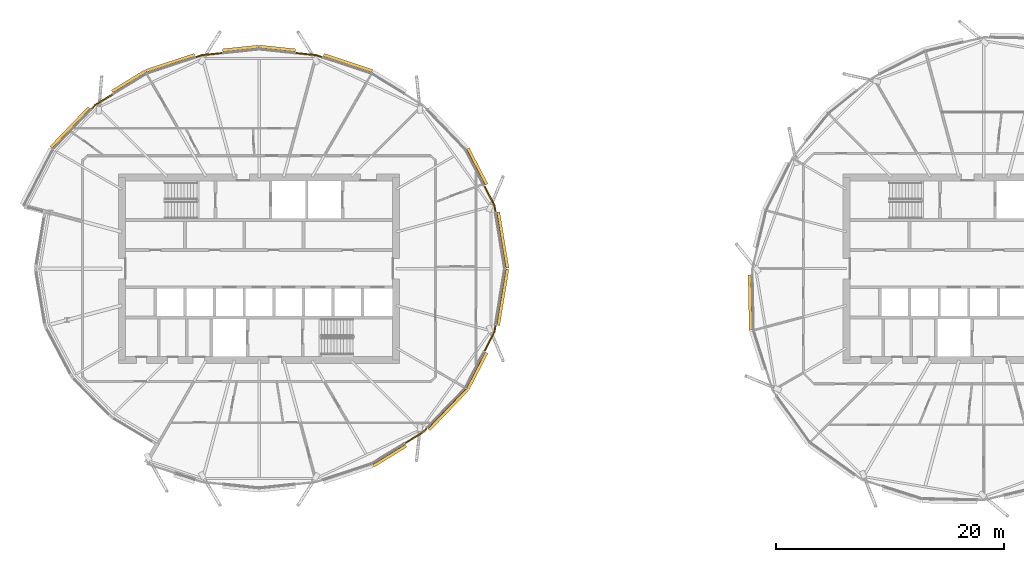
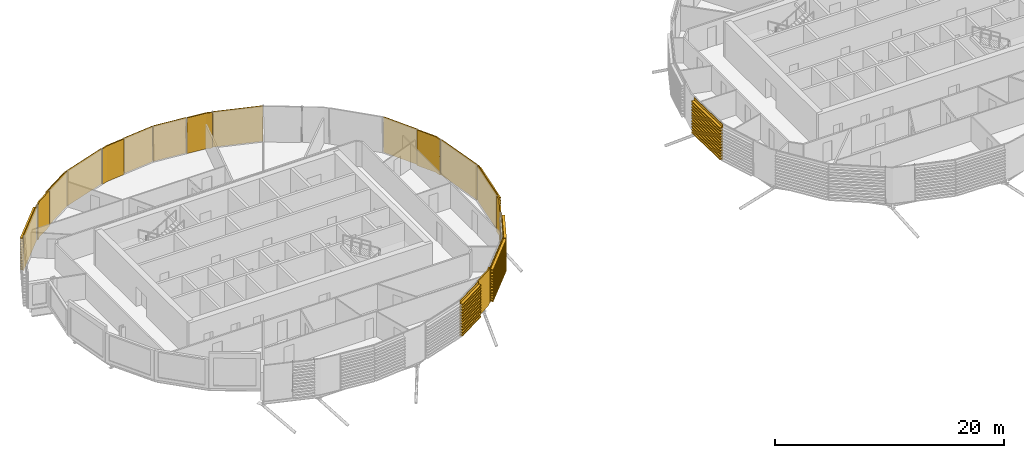
# One storey, part 33 of 36: 19 coverings.
"""IFC4 building model written with IfcOpenShell, lengths in metres."""

from ifc_helpers import new_model, si_unit, direction, frame, origin, place, context, subcontext, project, spatial, polyline, outline, extrude, material, layer, layer_set, material_profile, profile_set, type_object, element, save


model = new_model("IFC4")

# Units and contexts
model_context = context("Model", 3, precision=1e-05, world=origin(), true_north=direction((0.0, 1.0)))
body_context = subcontext(model_context, "Body", "Model", "MODEL_VIEW")
ifc_project = project(units=[si_unit("LENGTHUNIT", "METRE"), si_unit("AREAUNIT", "SQUARE_METRE"), si_unit("VOLUMEUNIT", "CUBIC_METRE"), si_unit("PLANEANGLEUNIT", "RADIAN"), si_unit("MASSUNIT", "GRAM", prefix="KILO")], contexts=[model_context])

# Site, building, storey
site_placement = place(None, origin())
site = spatial("IfcSite", under=ifc_project, at=site_placement, CompositionType="ELEMENT")
building_placement = place(site_placement, origin())
building = spatial("IfcBuilding", under=site, at=building_placement, Name="Rimbun Link Towers", CompositionType="ELEMENT")
storey_placement = place(building_placement, frame((0.0, 0.0, 200.699951171875)))
storey = spatial("IfcBuildingStorey", under=building, at=storey_placement, Name="L49", CompositionType="ELEMENT", Elevation=200.699951171875)

# Coverings
ifc_material_1 = material(Name="Terracotta", Category="masonry")
ifc_layer = layer(ifc_material_1, 0.1201171875)
ifc_layer_set = layer_set([ifc_layer], Name="LINK PIER terracotta cladding 120")
covering_type_1 = type_object("IfcCoveringType", Name="LINK PIER terracotta cladding 120", PredefinedType="CLADDING", material=ifc_layer_set)
covering_1_placement = place(storey_placement, origin())
element("IfcCovering", 1, at=covering_1_placement, inside=storey, type_object=covering_type_1, Name="LINK PIER cladding", PredefinedType="CLADDING", context=body_context, shape_type="SweptSolid", body=[
    extrude(outline(polyline([(-12.055419921875, 7.21875), (-11.173095703125, 5.513671875), (-11.08056640625, 4.951171875), (-10.962158203125, 4.970703125), (-11.057861328125, 5.5517578125), (-11.948974609375, 7.27392578125), (-12.055419921875, 7.21875)])), origin(), (0.0, 0.0, 1.0), 3.800048828125),
])
covering_2_placement = place(storey_placement, origin())
element("IfcCovering", 2, at=covering_2_placement, inside=storey, type_object=covering_type_1, Name="LINK PIER cladding", PredefinedType="CLADDING", context=body_context, shape_type="SweptSolid", body=[
    extrude(outline(polyline([(-28.561279296875, 18.845947265625), (-26.751220703125, 18.6552734375), (-26.210205078125, 18.475830078125), (-26.172607421875, 18.58984375), (-26.725830078125, 18.773193359375), (-28.548828125, 18.965087890625), (-28.561279296875, 18.845947265625)])), origin(), (0.0, 0.0, 1.0), 3.800048828125),
])
covering_3_placement = place(storey_placement, origin())
element("IfcCovering", 3, at=covering_3_placement, inside=storey, type_object=covering_type_1, Name="LINK PIER cladding", PredefinedType="CLADDING", context=body_context, shape_type="SweptSolid", body=[
    extrude(outline(polyline([(-37.289794921875, 18.475830078125), (-36.748779296875, 18.6552734375), (-34.938720703125, 18.845947265625), (-34.951171875, 18.965087890625), (-36.774169921875, 18.773193359375), (-37.327392578125, 18.58984375), (-37.289794921875, 18.475830078125)])), origin(), (0.0, 0.0, 1.0), 3.800048828125),
])
covering_4_placement = place(storey_placement, origin())
element("IfcCovering", 4, at=covering_4_placement, inside=storey, type_object=covering_type_1, Name="LINK PIER cladding", PredefinedType="CLADDING", context=body_context, shape_type="SweptSolid", body=[
    extrude(outline(polyline([(-46.418212890625, 13.93310546875), (-46.058349609375, 14.308349609375), (-44.50732421875, 15.2607421875), (-44.5703125, 15.363037109375), (-46.13427734375, 14.402587890625), (-46.5048828125, 14.01611328125), (-46.418212890625, 13.93310546875)])), origin(), (0.0, 0.0, 1.0), 3.800048828125),
])
covering_5_placement = place(storey_placement, origin())
element("IfcCovering", 5, at=covering_5_placement, inside=storey, type_object=covering_type_1, Name="LINK PIER cladding", PredefinedType="CLADDING", context=body_context, shape_type="SweptSolid", body=[
    extrude(outline(polyline([(-17.081787109375, -13.93310546875), (-17.441650390625, -14.308349609375), (-18.99267578125, -15.2607421875), (-18.9296875, -15.363037109375), (-17.36572265625, -14.402587890625), (-16.9951171875, -14.01611328125), (-17.081787109375, -13.93310546875)])), origin(), (0.0, 0.0, 1.0), 3.800048828125),
])
covering_6_placement = place(storey_placement, origin())
element("IfcCovering", 6, at=covering_6_placement, inside=storey, type_object=covering_type_1, Name="LINK PIER cladding", PredefinedType="CLADDING", context=body_context, shape_type="SweptSolid", body=[
    extrude(outline(polyline([(-11.08056640625, -4.951171875), (-11.173095703125, -5.513671875), (-12.055419921875, -7.21875), (-11.948974609375, -7.27392578125), (-11.057861328125, -5.5517578125), (-10.962158203125, -4.970703125), (-11.08056640625, -4.951171875)])), origin(), (0.0, 0.0, 1.0), 3.800048828125),
])
ifc_material_2 = material(Name="Terracotta", Category="masonry")
ifc_material_profile = material_profile(ifc_material_2, outline(polyline([(0.123046875, 0.0), (0.1630859375, 0.0), (0.1630859375, 0.10009765625), (0.423095703125, 0.10009765625), (0.423095703125, 0.219970703125), (0.1630859375, 0.219970703125), (0.1630859375, 0.39990234375), (0.423095703125, 0.39990234375), (0.423095703125, 0.52001953125), (0.1630859375, 0.52001953125), (0.1630859375, 0.699951171875), (0.423095703125, 0.699951171875), (0.423095703125, 0.820068359375), (0.1630859375, 0.820068359375), (0.1630859375, 1.0), (0.423095703125, 1.0), (0.423095703125, 1.1201171875), (0.1630859375, 1.1201171875), (0.1630859375, 1.300048828125), (0.423095703125, 1.300048828125), (0.423095703125, 1.419921875), (0.1630859375, 1.419921875), (0.1630859375, 1.60009765625), (0.423095703125, 1.60009765625), (0.423095703125, 1.719970703125), (0.1630859375, 1.719970703125), (0.1630859375, 1.89990234375), (0.423095703125, 1.89990234375), (0.423095703125, 2.02001953125), (0.1630859375, 2.02001953125), (0.1630859375, 2.199951171875), (0.423095703125, 2.199951171875), (0.423095703125, 2.320068359375), (0.1630859375, 2.320068359375), (0.1630859375, 2.5), (0.423095703125, 2.5), (0.423095703125, 2.6201171875), (0.1630859375, 2.6201171875), (0.1630859375, 2.800048828125), (0.423095703125, 2.800048828125), (0.423095703125, 2.919921875), (0.1630859375, 2.919921875), (0.1630859375, 3.10009765625), (0.423095703125, 3.10009765625), (0.423095703125, 3.219970703125), (0.1630859375, 3.219970703125), (0.1630859375, 3.39990234375), (0.423095703125, 3.39990234375), (0.423095703125, 3.52001953125), (0.1630859375, 3.52001953125), (0.1630859375, 3.800048828125), (0.123046875, 3.800048828125), (0.123046875, 0.0)])), Name="BAGUETTE 120X300")
ifc_profile_set = profile_set([ifc_material_profile], Name="Terracotta")
covering_type_2 = type_object("IfcCoveringType", Name="TERRACOTTA BAGUETTE 120X300 H3800", PredefinedType="CLADDING", material=ifc_profile_set)
covering_7_placement = place(storey_placement, frame((-11.07568359375, 4.921630859375, 0.0), z_axis=(0.162215740707, -0.986755315905, 0.0), x_axis=(0.986755315905, 0.162215740707, 0.0)))
element("IfcCovering", 7, at=covering_7_placement, inside=storey, type_object=covering_type_2, Name="TERRACOTTA BAGUETTE", PredefinedType="CLADDING", context=body_context, shape_type="SweptSolid", body=[
    extrude(outline(polyline([(0.123046875, 0.0), (0.1630859375, 0.0), (0.1630859375, 0.10009765625), (0.423095703125, 0.10009765625), (0.423095703125, 0.219970703125), (0.1630859375, 0.219970703125), (0.1630859375, 0.39990234375), (0.423095703125, 0.39990234375), (0.423095703125, 0.52001953125), (0.1630859375, 0.52001953125), (0.1630859375, 0.699951171875), (0.423095703125, 0.699951171875), (0.423095703125, 0.820068359375), (0.1630859375, 0.820068359375), (0.1630859375, 1.0), (0.423095703125, 1.0), (0.423095703125, 1.1201171875), (0.1630859375, 1.1201171875), (0.1630859375, 1.300048828125), (0.423095703125, 1.300048828125), (0.423095703125, 1.419921875), (0.1630859375, 1.419921875), (0.1630859375, 1.60009765625), (0.423095703125, 1.60009765625), (0.423095703125, 1.719970703125), (0.1630859375, 1.719970703125), (0.1630859375, 1.89990234375), (0.423095703125, 1.89990234375), (0.423095703125, 2.02001953125), (0.1630859375, 2.02001953125), (0.1630859375, 2.199951171875), (0.423095703125, 2.199951171875), (0.423095703125, 2.320068359375), (0.1630859375, 2.320068359375), (0.1630859375, 2.5), (0.423095703125, 2.5), (0.423095703125, 2.6201171875), (0.1630859375, 2.6201171875), (0.1630859375, 2.800048828125), (0.423095703125, 2.800048828125), (0.423095703125, 2.919921875), (0.1630859375, 2.919921875), (0.1630859375, 3.10009765625), (0.423095703125, 3.10009765625), (0.423095703125, 3.219970703125), (0.1630859375, 3.219970703125), (0.1630859375, 3.39990234375), (0.423095703125, 3.39990234375), (0.423095703125, 3.52001953125), (0.1630859375, 3.52001953125), (0.1630859375, 3.800048828125), (0.123046875, 3.800048828125), (0.123046875, 0.0)])), origin(), (0.0, 0.0, 1.0), 4.98779296875),
])
covering_8_placement = place(storey_placement, frame((-13.709716796875, 10.41552734375, 0.0), z_axis=(0.459564328239, -0.888144486111, 0.0), x_axis=(0.888144486111, 0.459564328239, 0.0)))
element("IfcCovering", 8, at=covering_8_placement, inside=storey, type_object=covering_type_2, Name="TERRACOTTA BAGUETTE", PredefinedType="CLADDING", context=body_context, shape_type="SweptSolid", body=[
    extrude(outline(polyline([(0.123046875, 0.0), (0.1630859375, 0.0), (0.1630859375, 0.10009765625), (0.423095703125, 0.10009765625), (0.423095703125, 0.219970703125), (0.1630859375, 0.219970703125), (0.1630859375, 0.39990234375), (0.423095703125, 0.39990234375), (0.423095703125, 0.52001953125), (0.1630859375, 0.52001953125), (0.1630859375, 0.699951171875), (0.423095703125, 0.699951171875), (0.423095703125, 0.820068359375), (0.1630859375, 0.820068359375), (0.1630859375, 1.0), (0.423095703125, 1.0), (0.423095703125, 1.1201171875), (0.1630859375, 1.1201171875), (0.1630859375, 1.300048828125), (0.423095703125, 1.300048828125), (0.423095703125, 1.419921875), (0.1630859375, 1.419921875), (0.1630859375, 1.60009765625), (0.423095703125, 1.60009765625), (0.423095703125, 1.719970703125), (0.1630859375, 1.719970703125), (0.1630859375, 1.89990234375), (0.423095703125, 1.89990234375), (0.423095703125, 2.02001953125), (0.1630859375, 2.02001953125), (0.1630859375, 2.199951171875), (0.423095703125, 2.199951171875), (0.423095703125, 2.320068359375), (0.1630859375, 2.320068359375), (0.1630859375, 2.5), (0.423095703125, 2.5), (0.423095703125, 2.6201171875), (0.1630859375, 2.6201171875), (0.1630859375, 2.800048828125), (0.423095703125, 2.800048828125), (0.423095703125, 2.919921875), (0.1630859375, 2.919921875), (0.1630859375, 3.10009765625), (0.423095703125, 3.10009765625), (0.423095703125, 3.219970703125), (0.1630859375, 3.219970703125), (0.1630859375, 3.39990234375), (0.423095703125, 3.39990234375), (0.423095703125, 3.52001953125), (0.1630859375, 3.52001953125), (0.1630859375, 3.800048828125), (0.123046875, 3.800048828125), (0.123046875, 0.0)])), origin(), (0.0, 0.0, 1.0), 3.5693359375),
])
covering_9_placement = place(storey_placement, frame((-26.181640625, 18.466552734375, 0.0), z_axis=(0.949234768601, -0.314568520484, 0.0), x_axis=(0.314568520484, 0.949234768601, 0.0)))
element("IfcCovering", 9, at=covering_9_placement, inside=storey, type_object=covering_type_2, Name="TERRACOTTA BAGUETTE", PredefinedType="CLADDING", context=body_context, shape_type="SweptSolid", body=[
    extrude(outline(polyline([(0.123046875, 0.0), (0.1630859375, 0.0), (0.1630859375, 0.10009765625), (0.423095703125, 0.10009765625), (0.423095703125, 0.219970703125), (0.1630859375, 0.219970703125), (0.1630859375, 0.39990234375), (0.423095703125, 0.39990234375), (0.423095703125, 0.52001953125), (0.1630859375, 0.52001953125), (0.1630859375, 0.699951171875), (0.423095703125, 0.699951171875), (0.423095703125, 0.820068359375), (0.1630859375, 0.820068359375), (0.1630859375, 1.0), (0.423095703125, 1.0), (0.423095703125, 1.1201171875), (0.1630859375, 1.1201171875), (0.1630859375, 1.300048828125), (0.423095703125, 1.300048828125), (0.423095703125, 1.419921875), (0.1630859375, 1.419921875), (0.1630859375, 1.60009765625), (0.423095703125, 1.60009765625), (0.423095703125, 1.719970703125), (0.1630859375, 1.719970703125), (0.1630859375, 1.89990234375), (0.423095703125, 1.89990234375), (0.423095703125, 2.02001953125), (0.1630859375, 2.02001953125), (0.1630859375, 2.199951171875), (0.423095703125, 2.199951171875), (0.423095703125, 2.320068359375), (0.1630859375, 2.320068359375), (0.1630859375, 2.5), (0.423095703125, 2.5), (0.423095703125, 2.6201171875), (0.1630859375, 2.6201171875), (0.1630859375, 2.800048828125), (0.423095703125, 2.800048828125), (0.423095703125, 2.919921875), (0.1630859375, 2.919921875), (0.1630859375, 3.10009765625), (0.423095703125, 3.10009765625), (0.423095703125, 3.219970703125), (0.1630859375, 3.219970703125), (0.1630859375, 3.39990234375), (0.423095703125, 3.39990234375), (0.423095703125, 3.52001953125), (0.1630859375, 3.52001953125), (0.1630859375, 3.800048828125), (0.123046875, 3.800048828125), (0.123046875, 0.0)])), origin(), (0.0, 0.0, 1.0), 4.503662109375),
])
for number, where, z_axis, x_axis, name in (
    (10, (-31.75, 19.181640625, 0.0), (0.994497448106, -0.104760802362, 0.0), (0.104760802362, 0.994497448106, 0.0), "TERRACOTTA BAGUETTE"),
    (11, (-34.908935546875, 18.848876953125, 0.0), (0.994497448106, 0.104760802362, 0.0), (-0.104760802362, 0.994497448106, 0.0), "TERRACOTTA BAGUETTE"),
):
    element("IfcCovering", number, at=place(storey_placement, frame(where, z_axis=z_axis, x_axis=x_axis)), inside=storey, type_object=covering_type_2, Name=name, PredefinedType="CLADDING", context=body_context, shape_type="SweptSolid", body=[
        extrude(outline(polyline([(0.123046875, 0.0), (0.1630859375, 0.0), (0.1630859375, 0.10009765625), (0.423095703125, 0.10009765625), (0.423095703125, 0.219970703125), (0.1630859375, 0.219970703125), (0.1630859375, 0.39990234375), (0.423095703125, 0.39990234375), (0.423095703125, 0.52001953125), (0.1630859375, 0.52001953125), (0.1630859375, 0.699951171875), (0.423095703125, 0.699951171875), (0.423095703125, 0.820068359375), (0.1630859375, 0.820068359375), (0.1630859375, 1.0), (0.423095703125, 1.0), (0.423095703125, 1.1201171875), (0.1630859375, 1.1201171875), (0.1630859375, 1.300048828125), (0.423095703125, 1.300048828125), (0.423095703125, 1.419921875), (0.1630859375, 1.419921875), (0.1630859375, 1.60009765625), (0.423095703125, 1.60009765625), (0.423095703125, 1.719970703125), (0.1630859375, 1.719970703125), (0.1630859375, 1.89990234375), (0.423095703125, 1.89990234375), (0.423095703125, 2.02001953125), (0.1630859375, 2.02001953125), (0.1630859375, 2.199951171875), (0.423095703125, 2.199951171875), (0.423095703125, 2.320068359375), (0.1630859375, 2.320068359375), (0.1630859375, 2.5), (0.423095703125, 2.5), (0.423095703125, 2.6201171875), (0.1630859375, 2.6201171875), (0.1630859375, 2.800048828125), (0.423095703125, 2.800048828125), (0.423095703125, 2.919921875), (0.1630859375, 2.919921875), (0.1630859375, 3.10009765625), (0.423095703125, 3.10009765625), (0.423095703125, 3.219970703125), (0.1630859375, 3.219970703125), (0.1630859375, 3.39990234375), (0.423095703125, 3.39990234375), (0.423095703125, 3.52001953125), (0.1630859375, 3.52001953125), (0.1630859375, 3.800048828125), (0.123046875, 3.800048828125), (0.123046875, 0.0)])), origin(), (0.0, 0.0, 1.0), 3.176513671875),
    ])
covering_10_placement = place(storey_placement, frame((-41.593505859375, 17.0498046875, 0.0), z_axis=(0.949234768601, 0.314568520484, 0.0), x_axis=(-0.314568520484, 0.949234768601, 0.0)))
element("IfcCovering", 12, at=covering_10_placement, inside=storey, type_object=covering_type_2, Name="TERRACOTTA BAGUETTE", PredefinedType="CLADDING", context=body_context, shape_type="SweptSolid", body=[
    extrude(outline(polyline([(0.123046875, 0.0), (0.1630859375, 0.0), (0.1630859375, 0.10009765625), (0.423095703125, 0.10009765625), (0.423095703125, 0.219970703125), (0.1630859375, 0.219970703125), (0.1630859375, 0.39990234375), (0.423095703125, 0.39990234375), (0.423095703125, 0.52001953125), (0.1630859375, 0.52001953125), (0.1630859375, 0.699951171875), (0.423095703125, 0.699951171875), (0.423095703125, 0.820068359375), (0.1630859375, 0.820068359375), (0.1630859375, 1.0), (0.423095703125, 1.0), (0.423095703125, 1.1201171875), (0.1630859375, 1.1201171875), (0.1630859375, 1.300048828125), (0.423095703125, 1.300048828125), (0.423095703125, 1.419921875), (0.1630859375, 1.419921875), (0.1630859375, 1.60009765625), (0.423095703125, 1.60009765625), (0.423095703125, 1.719970703125), (0.1630859375, 1.719970703125), (0.1630859375, 1.89990234375), (0.423095703125, 1.89990234375), (0.423095703125, 2.02001953125), (0.1630859375, 2.02001953125), (0.1630859375, 2.199951171875), (0.423095703125, 2.199951171875), (0.423095703125, 2.320068359375), (0.1630859375, 2.320068359375), (0.1630859375, 2.5), (0.423095703125, 2.5), (0.423095703125, 2.6201171875), (0.1630859375, 2.6201171875), (0.1630859375, 2.800048828125), (0.423095703125, 2.800048828125), (0.423095703125, 2.919921875), (0.1630859375, 2.919921875), (0.1630859375, 3.10009765625), (0.423095703125, 3.10009765625), (0.423095703125, 3.219970703125), (0.1630859375, 3.219970703125), (0.1630859375, 3.39990234375), (0.423095703125, 3.39990234375), (0.423095703125, 3.52001953125), (0.1630859375, 3.52001953125), (0.1630859375, 3.800048828125), (0.123046875, 3.800048828125), (0.123046875, 0.0)])), origin(), (0.0, 0.0, 1.0), 4.503662109375),
])
covering_11_placement = place(storey_placement, frame((-44.48193359375, 15.2763671875, 0.0), z_axis=(0.852192074263, 0.523229078476, 0.0), x_axis=(-0.523229078476, 0.852192074263, 0.0)))
element("IfcCovering", 13, at=covering_11_placement, inside=storey, type_object=covering_type_2, Name="TERRACOTTA BAGUETTE", PredefinedType="CLADDING", context=body_context, shape_type="SweptSolid", body=[
    extrude(outline(polyline([(0.123046875, 0.0), (0.1630859375, 0.0), (0.1630859375, 0.10009765625), (0.423095703125, 0.10009765625), (0.423095703125, 0.219970703125), (0.1630859375, 0.219970703125), (0.1630859375, 0.39990234375), (0.423095703125, 0.39990234375), (0.423095703125, 0.52001953125), (0.1630859375, 0.52001953125), (0.1630859375, 0.699951171875), (0.423095703125, 0.699951171875), (0.423095703125, 0.820068359375), (0.1630859375, 0.820068359375), (0.1630859375, 1.0), (0.423095703125, 1.0), (0.423095703125, 1.1201171875), (0.1630859375, 1.1201171875), (0.1630859375, 1.300048828125), (0.423095703125, 1.300048828125), (0.423095703125, 1.419921875), (0.1630859375, 1.419921875), (0.1630859375, 1.60009765625), (0.423095703125, 1.60009765625), (0.423095703125, 1.719970703125), (0.1630859375, 1.719970703125), (0.1630859375, 1.89990234375), (0.423095703125, 1.89990234375), (0.423095703125, 2.02001953125), (0.1630859375, 2.02001953125), (0.1630859375, 2.199951171875), (0.423095703125, 2.199951171875), (0.423095703125, 2.320068359375), (0.1630859375, 2.320068359375), (0.1630859375, 2.5), (0.423095703125, 2.5), (0.423095703125, 2.6201171875), (0.1630859375, 2.6201171875), (0.1630859375, 2.800048828125), (0.423095703125, 2.800048828125), (0.423095703125, 2.919921875), (0.1630859375, 2.919921875), (0.1630859375, 3.10009765625), (0.423095703125, 3.10009765625), (0.423095703125, 3.219970703125), (0.1630859375, 3.219970703125), (0.1630859375, 3.39990234375), (0.423095703125, 3.39990234375), (0.423095703125, 3.52001953125), (0.1630859375, 3.52001953125), (0.1630859375, 3.800048828125), (0.123046875, 3.800048828125), (0.123046875, 0.0)])), origin(), (0.0, 0.0, 1.0), 3.389404296875),
])
covering_12_placement = place(storey_placement, frame((-49.790283203125, 10.41552734375, 0.0), z_axis=(0.692026893446, 0.721871719039, 0.0), x_axis=(-0.721871719039, 0.692026893446, 0.0)))
element("IfcCovering", 14, at=covering_12_placement, inside=storey, type_object=covering_type_2, Name="TERRACOTTA BAGUETTE", PredefinedType="CLADDING", context=body_context, shape_type="SweptSolid", body=[
    extrude(outline(polyline([(0.123046875, 0.0), (0.1630859375, 0.0), (0.1630859375, 0.10009765625), (0.423095703125, 0.10009765625), (0.423095703125, 0.219970703125), (0.1630859375, 0.219970703125), (0.1630859375, 0.39990234375), (0.423095703125, 0.39990234375), (0.423095703125, 0.52001953125), (0.1630859375, 0.52001953125), (0.1630859375, 0.699951171875), (0.423095703125, 0.699951171875), (0.423095703125, 0.820068359375), (0.1630859375, 0.820068359375), (0.1630859375, 1.0), (0.423095703125, 1.0), (0.423095703125, 1.1201171875), (0.1630859375, 1.1201171875), (0.1630859375, 1.300048828125), (0.423095703125, 1.300048828125), (0.423095703125, 1.419921875), (0.1630859375, 1.419921875), (0.1630859375, 1.60009765625), (0.423095703125, 1.60009765625), (0.423095703125, 1.719970703125), (0.1630859375, 1.719970703125), (0.1630859375, 1.89990234375), (0.423095703125, 1.89990234375), (0.423095703125, 2.02001953125), (0.1630859375, 2.02001953125), (0.1630859375, 2.199951171875), (0.423095703125, 2.199951171875), (0.423095703125, 2.320068359375), (0.1630859375, 2.320068359375), (0.1630859375, 2.5), (0.423095703125, 2.5), (0.423095703125, 2.6201171875), (0.1630859375, 2.6201171875), (0.1630859375, 2.800048828125), (0.423095703125, 2.800048828125), (0.423095703125, 2.919921875), (0.1630859375, 2.919921875), (0.1630859375, 3.10009765625), (0.423095703125, 3.10009765625), (0.423095703125, 3.219970703125), (0.1630859375, 3.219970703125), (0.1630859375, 3.39990234375), (0.423095703125, 3.39990234375), (0.423095703125, 3.52001953125), (0.1630859375, 3.52001953125), (0.1630859375, 3.800048828125), (0.123046875, 3.800048828125), (0.123046875, 0.0)])), origin(), (0.0, 0.0, 1.0), 4.8427734375),
])
covering_13_placement = place(storey_placement, frame((-19.01806640625, -15.2763671875, 0.0), z_axis=(-0.852192074263, -0.523229078476, 0.0), x_axis=(0.523229078476, -0.852192074263, 0.0)))
element("IfcCovering", 15, at=covering_13_placement, inside=storey, type_object=covering_type_2, Name="TERRACOTTA BAGUETTE", PredefinedType="CLADDING", context=body_context, shape_type="SweptSolid", body=[
    extrude(outline(polyline([(0.123046875, 0.0), (0.1630859375, 0.0), (0.1630859375, 0.10009765625), (0.423095703125, 0.10009765625), (0.423095703125, 0.219970703125), (0.1630859375, 0.219970703125), (0.1630859375, 0.39990234375), (0.423095703125, 0.39990234375), (0.423095703125, 0.52001953125), (0.1630859375, 0.52001953125), (0.1630859375, 0.699951171875), (0.423095703125, 0.699951171875), (0.423095703125, 0.820068359375), (0.1630859375, 0.820068359375), (0.1630859375, 1.0), (0.423095703125, 1.0), (0.423095703125, 1.1201171875), (0.1630859375, 1.1201171875), (0.1630859375, 1.300048828125), (0.423095703125, 1.300048828125), (0.423095703125, 1.419921875), (0.1630859375, 1.419921875), (0.1630859375, 1.60009765625), (0.423095703125, 1.60009765625), (0.423095703125, 1.719970703125), (0.1630859375, 1.719970703125), (0.1630859375, 1.89990234375), (0.423095703125, 1.89990234375), (0.423095703125, 2.02001953125), (0.1630859375, 2.02001953125), (0.1630859375, 2.199951171875), (0.423095703125, 2.199951171875), (0.423095703125, 2.320068359375), (0.1630859375, 2.320068359375), (0.1630859375, 2.5), (0.423095703125, 2.5), (0.423095703125, 2.6201171875), (0.1630859375, 2.6201171875), (0.1630859375, 2.800048828125), (0.423095703125, 2.800048828125), (0.423095703125, 2.919921875), (0.1630859375, 2.919921875), (0.1630859375, 3.10009765625), (0.423095703125, 3.10009765625), (0.423095703125, 3.219970703125), (0.1630859375, 3.219970703125), (0.1630859375, 3.39990234375), (0.423095703125, 3.39990234375), (0.423095703125, 3.52001953125), (0.1630859375, 3.52001953125), (0.1630859375, 3.800048828125), (0.123046875, 3.800048828125), (0.123046875, 0.0)])), origin(), (0.0, 0.0, 1.0), 3.389404296875),
])
covering_14_placement = place(storey_placement, frame((-13.709716796875, -10.41552734375, 0.0), z_axis=(-0.692026893446, -0.721871719039, 0.0), x_axis=(0.721871719039, -0.692026893446, 0.0)))
element("IfcCovering", 16, at=covering_14_placement, inside=storey, type_object=covering_type_2, Name="TERRACOTTA BAGUETTE", PredefinedType="CLADDING", context=body_context, shape_type="SweptSolid", body=[
    extrude(outline(polyline([(0.123046875, 0.0), (0.1630859375, 0.0), (0.1630859375, 0.10009765625), (0.423095703125, 0.10009765625), (0.423095703125, 0.219970703125), (0.1630859375, 0.219970703125), (0.1630859375, 0.39990234375), (0.423095703125, 0.39990234375), (0.423095703125, 0.52001953125), (0.1630859375, 0.52001953125), (0.1630859375, 0.699951171875), (0.423095703125, 0.699951171875), (0.423095703125, 0.820068359375), (0.1630859375, 0.820068359375), (0.1630859375, 1.0), (0.423095703125, 1.0), (0.423095703125, 1.1201171875), (0.1630859375, 1.1201171875), (0.1630859375, 1.300048828125), (0.423095703125, 1.300048828125), (0.423095703125, 1.419921875), (0.1630859375, 1.419921875), (0.1630859375, 1.60009765625), (0.423095703125, 1.60009765625), (0.423095703125, 1.719970703125), (0.1630859375, 1.719970703125), (0.1630859375, 1.89990234375), (0.423095703125, 1.89990234375), (0.423095703125, 2.02001953125), (0.1630859375, 2.02001953125), (0.1630859375, 2.199951171875), (0.423095703125, 2.199951171875), (0.423095703125, 2.320068359375), (0.1630859375, 2.320068359375), (0.1630859375, 2.5), (0.423095703125, 2.5), (0.423095703125, 2.6201171875), (0.1630859375, 2.6201171875), (0.1630859375, 2.800048828125), (0.423095703125, 2.800048828125), (0.423095703125, 2.919921875), (0.1630859375, 2.919921875), (0.1630859375, 3.10009765625), (0.423095703125, 3.10009765625), (0.423095703125, 3.219970703125), (0.1630859375, 3.219970703125), (0.1630859375, 3.39990234375), (0.423095703125, 3.39990234375), (0.423095703125, 3.52001953125), (0.1630859375, 3.52001953125), (0.1630859375, 3.800048828125), (0.123046875, 3.800048828125), (0.123046875, 0.0)])), origin(), (0.0, 0.0, 1.0), 4.8427734375),
])
covering_15_placement = place(storey_placement, frame((-12.0693359375, -7.245361328125, 0.0), z_axis=(-0.459564328239, -0.888144486111, 0.0), x_axis=(0.888144486111, -0.459564328239, 0.0)))
element("IfcCovering", 17, at=covering_15_placement, inside=storey, type_object=covering_type_2, Name="TERRACOTTA BAGUETTE", PredefinedType="CLADDING", context=body_context, shape_type="SweptSolid", body=[
    extrude(outline(polyline([(0.123046875, 0.0), (0.1630859375, 0.0), (0.1630859375, 0.10009765625), (0.423095703125, 0.10009765625), (0.423095703125, 0.219970703125), (0.1630859375, 0.219970703125), (0.1630859375, 0.39990234375), (0.423095703125, 0.39990234375), (0.423095703125, 0.52001953125), (0.1630859375, 0.52001953125), (0.1630859375, 0.699951171875), (0.423095703125, 0.699951171875), (0.423095703125, 0.820068359375), (0.1630859375, 0.820068359375), (0.1630859375, 1.0), (0.423095703125, 1.0), (0.423095703125, 1.1201171875), (0.1630859375, 1.1201171875), (0.1630859375, 1.300048828125), (0.423095703125, 1.300048828125), (0.423095703125, 1.419921875), (0.1630859375, 1.419921875), (0.1630859375, 1.60009765625), (0.423095703125, 1.60009765625), (0.423095703125, 1.719970703125), (0.1630859375, 1.719970703125), (0.1630859375, 1.89990234375), (0.423095703125, 1.89990234375), (0.423095703125, 2.02001953125), (0.1630859375, 2.02001953125), (0.1630859375, 2.199951171875), (0.423095703125, 2.199951171875), (0.423095703125, 2.320068359375), (0.1630859375, 2.320068359375), (0.1630859375, 2.5), (0.423095703125, 2.5), (0.423095703125, 2.6201171875), (0.1630859375, 2.6201171875), (0.1630859375, 2.800048828125), (0.423095703125, 2.800048828125), (0.423095703125, 2.919921875), (0.1630859375, 2.919921875), (0.1630859375, 3.10009765625), (0.423095703125, 3.10009765625), (0.423095703125, 3.219970703125), (0.1630859375, 3.219970703125), (0.1630859375, 3.39990234375), (0.423095703125, 3.39990234375), (0.423095703125, 3.52001953125), (0.1630859375, 3.52001953125), (0.1630859375, 3.800048828125), (0.123046875, 3.800048828125), (0.123046875, 0.0)])), origin(), (0.0, 0.0, 1.0), 3.5693359375),
])
covering_16_placement = place(storey_placement, frame((-10.2666015625, 0.0, 0.0), z_axis=(-0.162215740707, -0.986755315905, 0.0), x_axis=(0.986755315905, -0.162215740707, 0.0)))
element("IfcCovering", 18, at=covering_16_placement, inside=storey, type_object=covering_type_2, Name="TERRACOTTA BAGUETTE", PredefinedType="CLADDING", context=body_context, shape_type="SweptSolid", body=[
    extrude(outline(polyline([(0.123046875, 0.0), (0.1630859375, 0.0), (0.1630859375, 0.10009765625), (0.423095703125, 0.10009765625), (0.423095703125, 0.219970703125), (0.1630859375, 0.219970703125), (0.1630859375, 0.39990234375), (0.423095703125, 0.39990234375), (0.423095703125, 0.52001953125), (0.1630859375, 0.52001953125), (0.1630859375, 0.699951171875), (0.423095703125, 0.699951171875), (0.423095703125, 0.820068359375), (0.1630859375, 0.820068359375), (0.1630859375, 1.0), (0.423095703125, 1.0), (0.423095703125, 1.1201171875), (0.1630859375, 1.1201171875), (0.1630859375, 1.300048828125), (0.423095703125, 1.300048828125), (0.423095703125, 1.419921875), (0.1630859375, 1.419921875), (0.1630859375, 1.60009765625), (0.423095703125, 1.60009765625), (0.423095703125, 1.719970703125), (0.1630859375, 1.719970703125), (0.1630859375, 1.89990234375), (0.423095703125, 1.89990234375), (0.423095703125, 2.02001953125), (0.1630859375, 2.02001953125), (0.1630859375, 2.199951171875), (0.423095703125, 2.199951171875), (0.423095703125, 2.320068359375), (0.1630859375, 2.320068359375), (0.1630859375, 2.5), (0.423095703125, 2.5), (0.423095703125, 2.6201171875), (0.1630859375, 2.6201171875), (0.1630859375, 2.800048828125), (0.423095703125, 2.800048828125), (0.423095703125, 2.919921875), (0.1630859375, 2.919921875), (0.1630859375, 3.10009765625), (0.423095703125, 3.10009765625), (0.423095703125, 3.219970703125), (0.1630859375, 3.219970703125), (0.1630859375, 3.39990234375), (0.423095703125, 3.39990234375), (0.423095703125, 3.52001953125), (0.1630859375, 3.52001953125), (0.1630859375, 3.800048828125), (0.123046875, 3.800048828125), (0.123046875, 0.0)])), origin(), (0.0, 0.0, 1.0), 4.98779296875),
])
covering_17_placement = place(storey_placement, frame((11.62841796875, -5.3916015625, 0.0), z_axis=(-0.021072367102, 0.99977795302, 0.0), x_axis=(-0.99977795302, -0.021072367102, 0.0)))
element("IfcCovering", 19, at=covering_17_placement, inside=storey, type_object=covering_type_2, Name="TERRACOTTA BAGUETTE", PredefinedType="CLADDING", context=body_context, shape_type="SweptSolid", body=[
    extrude(outline(polyline([(0.123046875, 0.0), (0.1630859375, 0.0), (0.1630859375, 0.10009765625), (0.423095703125, 0.10009765625), (0.423095703125, 0.219970703125), (0.1630859375, 0.219970703125), (0.1630859375, 0.39990234375), (0.423095703125, 0.39990234375), (0.423095703125, 0.52001953125), (0.1630859375, 0.52001953125), (0.1630859375, 0.699951171875), (0.423095703125, 0.699951171875), (0.423095703125, 0.820068359375), (0.1630859375, 0.820068359375), (0.1630859375, 1.0), (0.423095703125, 1.0), (0.423095703125, 1.1201171875), (0.1630859375, 1.1201171875), (0.1630859375, 1.300048828125), (0.423095703125, 1.300048828125), (0.423095703125, 1.419921875), (0.1630859375, 1.419921875), (0.1630859375, 1.60009765625), (0.423095703125, 1.60009765625), (0.423095703125, 1.719970703125), (0.1630859375, 1.719970703125), (0.1630859375, 1.89990234375), (0.423095703125, 1.89990234375), (0.423095703125, 2.02001953125), (0.1630859375, 2.02001953125), (0.1630859375, 2.199951171875), (0.423095703125, 2.199951171875), (0.423095703125, 2.320068359375), (0.1630859375, 2.320068359375), (0.1630859375, 2.5), (0.423095703125, 2.5), (0.423095703125, 2.6201171875), (0.1630859375, 2.6201171875), (0.1630859375, 2.800048828125), (0.423095703125, 2.800048828125), (0.423095703125, 2.919921875), (0.1630859375, 2.919921875), (0.1630859375, 3.10009765625), (0.423095703125, 3.10009765625), (0.423095703125, 3.219970703125), (0.1630859375, 3.219970703125), (0.1630859375, 3.39990234375), (0.423095703125, 3.39990234375), (0.423095703125, 3.52001953125), (0.1630859375, 3.52001953125), (0.1630859375, 3.800048828125), (0.123046875, 3.800048828125), (0.123046875, 0.0)])), origin(), (0.0, 0.0, 1.0), 4.8427734375),
])

save(model, "model.ifc")
